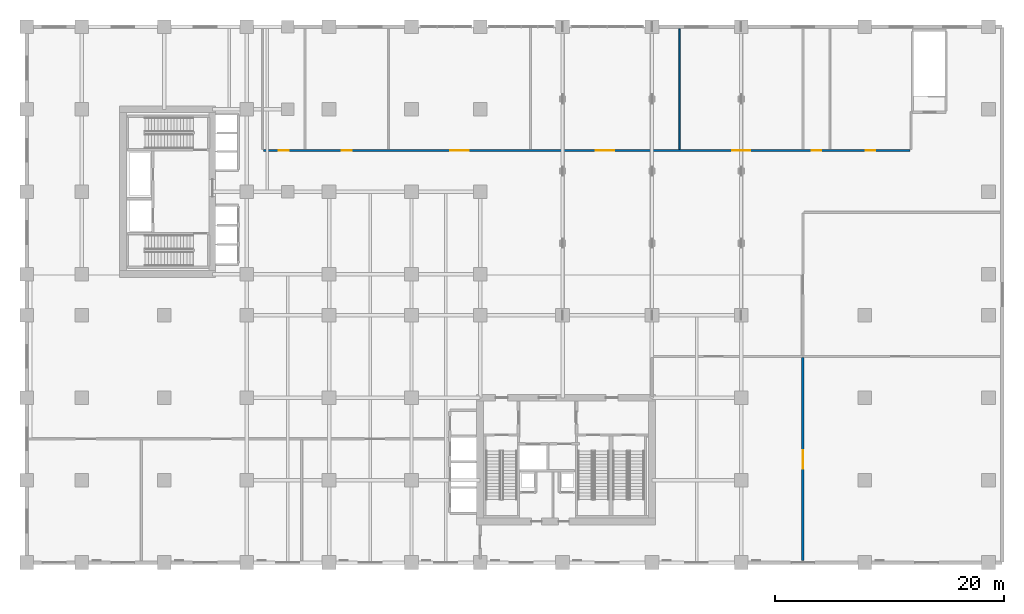
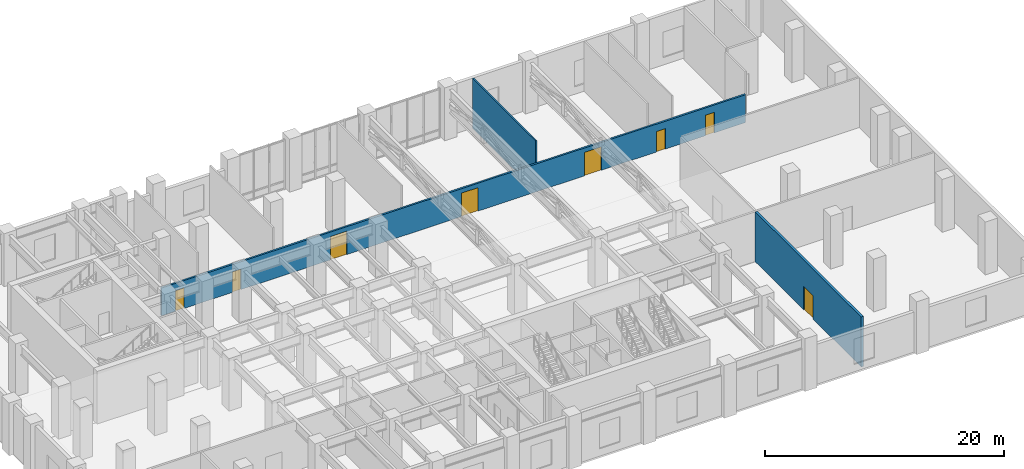
# One storey, part 13 of 19: 8 doors, 3 walls, 8 openings.
"""IFC4 building model written with IfcOpenShell, lengths in metres."""

from ifc_helpers import new_model, si_unit, derived_unit, direction, frame, frame_2d, origin, place, context, subcontext, project, spatial, rectangle, extrude, source, transform, mapped, material, layer, layer_set, type_object, type_shapes, element, fill, save


model = new_model("IFC4")

# Units and contexts
model_context = context("Model", 3, precision=1e-05, world=origin(), true_north=direction((0.0, 1.0)))
body_context = subcontext(model_context, "Body", "Model", "MODEL_VIEW")
ifc_project = project(units=[si_unit("LENGTHUNIT", "METRE"), si_unit("AREAUNIT", "SQUARE_METRE"), si_unit("VOLUMEUNIT", "CUBIC_METRE"), si_unit("PLANEANGLEUNIT", "RADIAN"), si_unit("MASSUNIT", "GRAM", prefix="KILO"), si_unit("THERMODYNAMICTEMPERATUREUNIT", "KELVIN"), si_unit("POWERUNIT", "WATT"), derived_unit("THERMALTRANSMITTANCEUNIT", [(si_unit("POWERUNIT", "WATT"), 1), (si_unit("AREAUNIT", "SQUARE_METRE"), -1), (si_unit("THERMODYNAMICTEMPERATUREUNIT", "KELVIN"), -1)])], contexts=[model_context])

# Site, building, storey
site_placement = place(None, origin())
site = spatial("IfcSite", under=ifc_project, at=site_placement, CompositionType="ELEMENT")
building_placement = place(site_placement, origin())
building = spatial("IfcBuilding", under=site, at=building_placement, Name="Zahravan Archway Hotel and Residences", CompositionType="ELEMENT")
storey_placement = place(building_placement, frame((0.0, 0.0, 21.60009765625)))
storey = spatial("IfcBuildingStorey", under=building, at=storey_placement, Name="L04", CompositionType="ELEMENT", Elevation=21.60009765625)

# Wall, opening, door
ifc_material_1 = material(Name="Fire-Rated Gypsum & Concrete Block", Category="concrete")
ifc_layer_1 = layer(ifc_material_1, 0.219970703125, Name="Fire-Rated Gypsum & Concrete Block", Category="concrete")
ifc_layer_set_1 = layer_set([ifc_layer_1], Name="Fire-Rated Gypsum & Concrete Block")
wall_type_1 = type_object("IfcWallType", Name="PW-COMP-220", PredefinedType="PARTITIONING", material=ifc_layer_set_1)
wall_1_placement = place(storey_placement, frame((63.0, 0.16796875, 0.0), z_axis=(0.0, 0.0, 1.0), x_axis=(0.0, 1.0, 0.0)))
wall_1 = element("IfcWall", 1, at=wall_1_placement, inside=storey, type_object=wall_type_1, Name="L04 Partition L04-SEV", PredefinedType="PARTITIONING", context=body_context, shape_type="SweptSolid", body=[
    extrude(rectangle(XDim=17.741943359375, YDim=0.219970703125, at=frame_2d((8.87109375, 0.0))), origin(), (0.0, 0.0, 1.0), 5.099853515625),
])
opening_1_placement = place(wall_1_placement, frame((8.031982421875, 0.0, 0.0)))
opening_1 = element("IfcOpeningElement", 2, at=opening_1_placement, cuts=wall_1, Name="Opening D-P2", PredefinedType="OPENING", context=body_context, shape_type="SweptSolid", body=[
    extrude(rectangle(XDim=1.60009765625, YDim=2.39990234375, at=frame_2d((0.800048828125, 1.199951171875))), frame((0.0, 0.1201171875, 0.0), z_axis=(0.0, -1.0, 0.0), x_axis=(1.0, 0.0, 0.0)), (0.0, 0.0, 1.0), 0.239990234375),
])
ifc_material_2 = material(Name="Bronze-Anodized Glazed Aluminium", Category="aluminium")
door_type_1 = type_object("IfcDoorType", Name="ID-PUBLIC-1600", OperationType="DOUBLE_DOOR_SINGLE_SWING", PredefinedType="DOOR", material=ifc_material_2)
shared_shape_1 = source(origin(), body_context, "Body", "SweptSolid", [
    extrude(rectangle(XDim=1.60009765625, YDim=2.39990234375, at=frame_2d((0.800048828125, 1.199951171875))), frame((0.0, 0.02490234375, 0.0), z_axis=(0.0, -1.0, 0.0), x_axis=(1.0, 0.0, 0.0)), (0.0, 0.0, 1.0), 0.050048828125),
])
type_shapes(door_type_1, [shared_shape_1])
door_1_placement = place(opening_1_placement, origin())
door_1 = element("IfcDoor", 3, at=door_1_placement, inside=storey, type_object=door_type_1, Name="L04 Ballroom Foyer to Grand Ballroom Doors", OperationType="DOUBLE_DOOR_SINGLE_SWING", OverallHeight=2.39990234375, OverallWidth=1.60009765625, PredefinedType="DOOR", context=body_context, shape_type="MappedRepresentation", body=[
    mapped(shared_shape_1, transform((0.0, 0.0, 0.0), scale=1.0)),
])
fill(opening_1, door_1)

# Wall, openings, doors
ifc_layer_2 = layer(ifc_material_1, 0.179931640625, Name="Fire-Rated Gypsum & Concrete Block", Category="concrete")
ifc_layer_set_2 = layer_set([ifc_layer_2], Name="Fire-Rated Gypsum & Concrete Block")
wall_type_2 = type_object("IfcWallType", Name="PW-CORR-180", PredefinedType="PARTITIONING", material=ifc_layer_set_2)
wall_2_placement = place(storey_placement, frame((15.889892578125, 36.0, 0.0), z_axis=(0.0, 0.0, 1.0), x_axis=(1.0, 0.0, 0.0)))
wall_2 = element("IfcWall", 4, at=wall_2_placement, inside=storey, type_object=wall_type_2, Name="L04 Partition L04-GN", PredefinedType="PARTITIONING", context=body_context, shape_type="SweptSolid", body=[
    extrude(rectangle(XDim=56.47021484375, YDim=0.179931640625, at=frame_2d((28.235107421875, 0.0))), origin(), (0.0, 0.0, 1.0), 2.849853515625),
])
opening_2_placement = place(wall_2_placement, frame((1.3349609375, 0.0, 0.0)))
opening_2 = element("IfcOpeningElement", 5, at=opening_2_placement, cuts=wall_2, Name="Opening D-B1", PredefinedType="OPENING", context=body_context, shape_type="SweptSolid", body=[
    extrude(rectangle(XDim=0.85009765625, YDim=2.10009765625, at=frame_2d((0.425048828125, 1.050048828125))), frame((0.0, 0.10009765625, 0.0), z_axis=(0.0, -1.0, 0.0), x_axis=(1.0, 0.0, 0.0)), (0.0, 0.0, 1.0), 0.199951171875),
])
opening_3_placement = place(wall_2_placement, frame((6.8349609375, 0.0, 0.0)))
opening_3 = element("IfcOpeningElement", 6, at=opening_3_placement, cuts=wall_2, Name="Opening D-B1", PredefinedType="OPENING", context=body_context, shape_type="SweptSolid", body=[
    extrude(rectangle(XDim=0.85009765625, YDim=2.10009765625, at=frame_2d((0.425048828125, 1.050048828125))), frame((0.0, 0.10009765625, 0.0), z_axis=(0.0, -1.0, 0.0), x_axis=(1.0, 0.0, 0.0)), (0.0, 0.0, 1.0), 0.199951171875),
])
opening_4_placement = place(wall_2_placement, frame((16.31005859375, 0.0, 0.0)))
opening_4 = element("IfcOpeningElement", 7, at=opening_4_placement, cuts=wall_2, Name="Opening D-P2", PredefinedType="OPENING", context=body_context, shape_type="SweptSolid", body=[
    extrude(rectangle(XDim=1.60009765625, YDim=2.39990234375, at=frame_2d((0.800048828125, 1.199951171875))), frame((0.0, 0.10009765625, 0.0), z_axis=(0.0, -1.0, 0.0), x_axis=(1.0, 0.0, 0.0)), (0.0, 0.0, 1.0), 0.199951171875),
])
opening_5_placement = place(wall_2_placement, frame((29.010009765625, 0.0, 0.0)))
opening_5 = element("IfcOpeningElement", 8, at=opening_5_placement, cuts=wall_2, Name="Opening D-P2", PredefinedType="OPENING", context=body_context, shape_type="SweptSolid", body=[
    extrude(rectangle(XDim=1.60009765625, YDim=2.39990234375, at=frame_2d((0.800048828125, 1.199951171875))), frame((0.0, 0.10009765625, 0.0), z_axis=(0.0, -1.0, 0.0), x_axis=(1.0, 0.0, 0.0)), (0.0, 0.0, 1.0), 0.199951171875),
])
opening_6_placement = place(wall_2_placement, frame((40.909912109375, 0.0, 0.0)))
opening_6 = element("IfcOpeningElement", 9, at=opening_6_placement, cuts=wall_2, Name="Opening D-P2", PredefinedType="OPENING", context=body_context, shape_type="SweptSolid", body=[
    extrude(rectangle(XDim=1.60009765625, YDim=2.39990234375, at=frame_2d((0.800048828125, 1.199951171875))), frame((0.0, 0.10009765625, 0.0), z_axis=(0.0, -1.0, 0.0), x_axis=(1.0, 0.0, 0.0)), (0.0, 0.0, 1.0), 0.199951171875),
])
opening_7_placement = place(wall_2_placement, frame((47.860107421875, 0.0, 0.0)))
opening_7 = element("IfcOpeningElement", 10, at=opening_7_placement, cuts=wall_2, Name="Opening D-B1", PredefinedType="OPENING", context=body_context, shape_type="SweptSolid", body=[
    extrude(rectangle(XDim=0.85009765625, YDim=2.10009765625, at=frame_2d((0.425048828125, 1.050048828125))), frame((0.0, 0.10009765625, 0.0), z_axis=(0.0, -1.0, 0.0), x_axis=(1.0, 0.0, 0.0)), (0.0, 0.0, 1.0), 0.199951171875),
])
opening_8_placement = place(wall_2_placement, frame((52.5849609375, 0.0, 0.0)))
opening_8 = element("IfcOpeningElement", 11, at=opening_8_placement, cuts=wall_2, Name="Opening D-B1", PredefinedType="OPENING", context=body_context, shape_type="SweptSolid", body=[
    extrude(rectangle(XDim=0.85009765625, YDim=2.10009765625, at=frame_2d((0.425048828125, 1.050048828125))), frame((0.0, 0.10009765625, 0.0), z_axis=(0.0, -1.0, 0.0), x_axis=(1.0, 0.0, 0.0)), (0.0, 0.0, 1.0), 0.199951171875),
])
door_2_placement = place(opening_4_placement, origin())
door_2 = element("IfcDoor", 12, at=door_2_placement, inside=storey, type_object=door_type_1, Name="L04 Thermal Hammam & Hydrotherapy Spa Door", OperationType="DOUBLE_DOOR_SINGLE_SWING", OverallHeight=2.39990234375, OverallWidth=1.60009765625, PredefinedType="DOOR", context=body_context, shape_type="MappedRepresentation", body=[
    mapped(shared_shape_1, transform((0.0, 0.0, 0.0), scale=1.0)),
])
fill(opening_4, door_2)
door_3_placement = place(opening_5_placement, origin())
door_3 = element("IfcDoor", 13, at=door_3_placement, inside=storey, type_object=door_type_1, Name="L04 Wellness Treatment & Relaxation Suites Door", OperationType="DOUBLE_DOOR_SINGLE_SWING", OverallHeight=2.39990234375, OverallWidth=1.60009765625, PredefinedType="DOOR", context=body_context, shape_type="MappedRepresentation", body=[
    mapped(shared_shape_1, transform((0.0, 0.0, 0.0), scale=1.0)),
])
fill(opening_5, door_3)
door_4_placement = place(opening_6_placement, origin())
door_4 = element("IfcDoor", 14, at=door_4_placement, inside=storey, type_object=door_type_1, Name="L04 Podium Fitness & Pilates Studio Door", OperationType="DOUBLE_DOOR_SINGLE_SWING", OverallHeight=2.39990234375, OverallWidth=1.60009765625, PredefinedType="DOOR", context=body_context, shape_type="MappedRepresentation", body=[
    mapped(shared_shape_1, transform((0.0, 0.0, 0.0), scale=1.0)),
])
fill(opening_6, door_4)
ifc_material_3 = material(Name="Hardwood Veneer Timber", Category="wood")
door_type_2 = type_object("IfcDoorType", Name="ID-BATH-850", OperationType="NOTDEFINED", PredefinedType="DOOR", material=ifc_material_3)
shared_shape_2 = source(origin(), body_context, "Body", "SweptSolid", [
    extrude(rectangle(XDim=0.85009765625, YDim=2.10009765625, at=frame_2d((0.425048828125, 1.050048828125))), frame((0.0, 0.02490234375, 0.0), z_axis=(0.0, -1.0, 0.0), x_axis=(1.0, 0.0, 0.0)), (0.0, 0.0, 1.0), 0.050048828125),
])
type_shapes(door_type_2, [shared_shape_2])
door_5_placement = place(opening_2_placement, origin())
door_5 = element("IfcDoor", 15, at=door_5_placement, inside=storey, type_object=door_type_2, Name="L04 Men's Ablution Washrooms Door", OperationType="SINGLE_SWING_LEFT", OverallHeight=2.10009765625, OverallWidth=0.85009765625, PredefinedType="DOOR", context=body_context, shape_type="MappedRepresentation", body=[
    mapped(shared_shape_2, transform((0.0, 0.0, 0.0), scale=1.0)),
])
fill(opening_2, door_5)
door_6_placement = place(opening_3_placement, origin())
door_6 = element("IfcDoor", 16, at=door_6_placement, inside=storey, type_object=door_type_2, Name="L04 Women's Ablution Washrooms Door", OperationType="SINGLE_SWING_RIGHT", OverallHeight=2.10009765625, OverallWidth=0.85009765625, PredefinedType="DOOR", context=body_context, shape_type="MappedRepresentation", body=[
    mapped(shared_shape_2, transform((0.0, 0.0, 0.0), scale=1.0)),
])
fill(opening_3, door_6)
door_7_placement = place(opening_7_placement, origin())
door_7 = element("IfcDoor", 17, at=door_7_placement, inside=storey, type_object=door_type_2, Name="L04 Accessible Restroom Door", OperationType="SINGLE_SWING_LEFT", OverallHeight=2.10009765625, OverallWidth=0.85009765625, PredefinedType="DOOR", context=body_context, shape_type="MappedRepresentation", body=[
    mapped(shared_shape_2, transform((0.0, 0.0, 0.0), scale=1.0)),
])
fill(opening_7, door_7)
door_8_placement = place(opening_8_placement, origin())
door_8 = element("IfcDoor", 18, at=door_8_placement, inside=storey, type_object=door_type_2, Name="L04 Sanctuary Public Restrooms Door", OperationType="SINGLE_SWING_RIGHT", OverallHeight=2.10009765625, OverallWidth=0.85009765625, PredefinedType="DOOR", context=body_context, shape_type="MappedRepresentation", body=[
    mapped(shared_shape_2, transform((0.0, 0.0, 0.0), scale=1.0)),
])
fill(opening_8, door_8)

# Wall
ifc_material_4 = material(Name="Moisture-Resistant Blockwork", Category="masonry")
ifc_layer_3 = layer(ifc_material_4, 0.139892578125, Name="Moisture-Resistant Blockwork", Category="masonry")
ifc_layer_set_3 = layer_set([ifc_layer_3], Name="Moisture-Resistant Blockwork")
wall_type_3 = type_object("IfcWallType", Name="PW-WET-140", PredefinedType="PARTITIONING", material=ifc_layer_set_3)
wall_3_placement = place(storey_placement, frame((52.199951171875, 36.090087890625, 0.0), z_axis=(0.0, 0.0, 1.0), x_axis=(0.0, 1.0, 0.0)))
element("IfcWall", 19, at=wall_3_placement, inside=storey, type_object=wall_type_3, Name="L04 Partition L04-NV4", PredefinedType="PARTITIONING", context=body_context, shape_type="SweptSolid", body=[
    extrude(rectangle(XDim=10.5419921875, YDim=0.139892578125, at=frame_2d((5.27099609375, 0.0))), origin(), (0.0, 0.0, 1.0), 5.099853515625),
])

save(model, "model.ifc")
